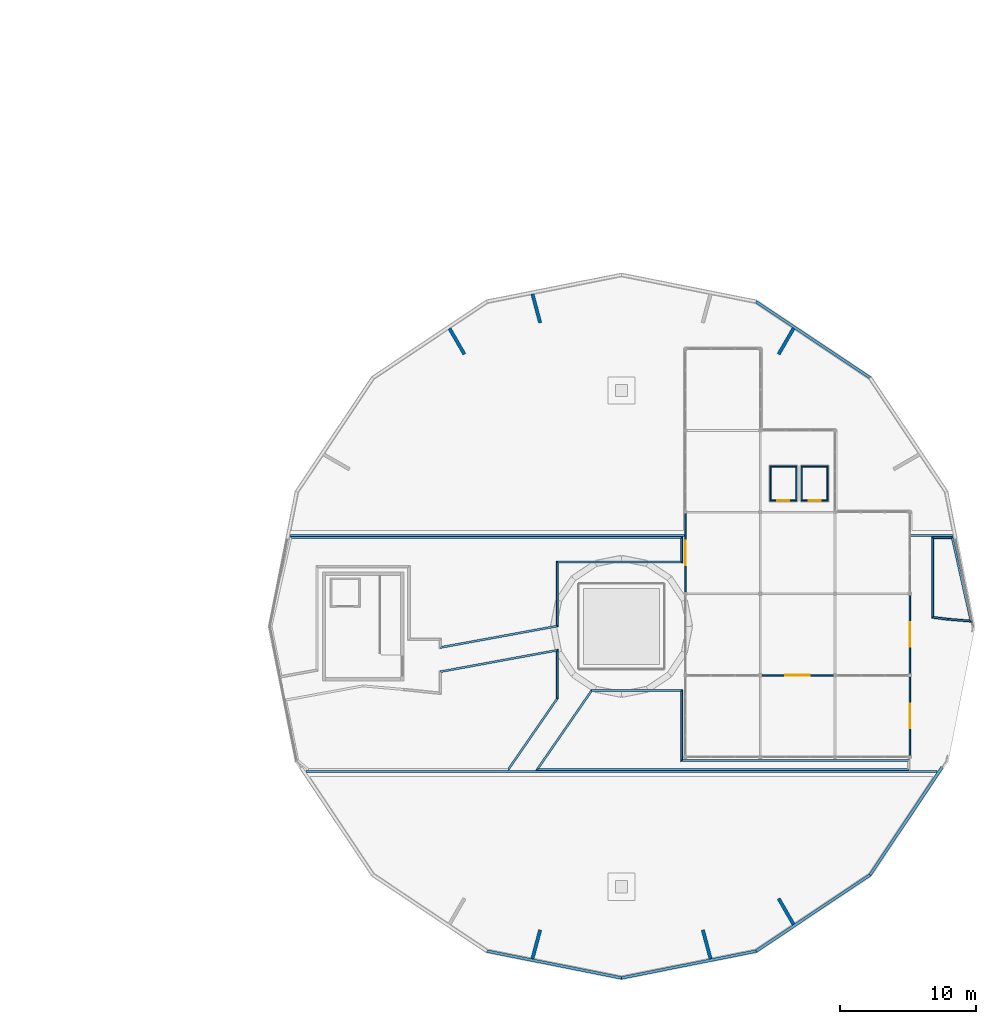
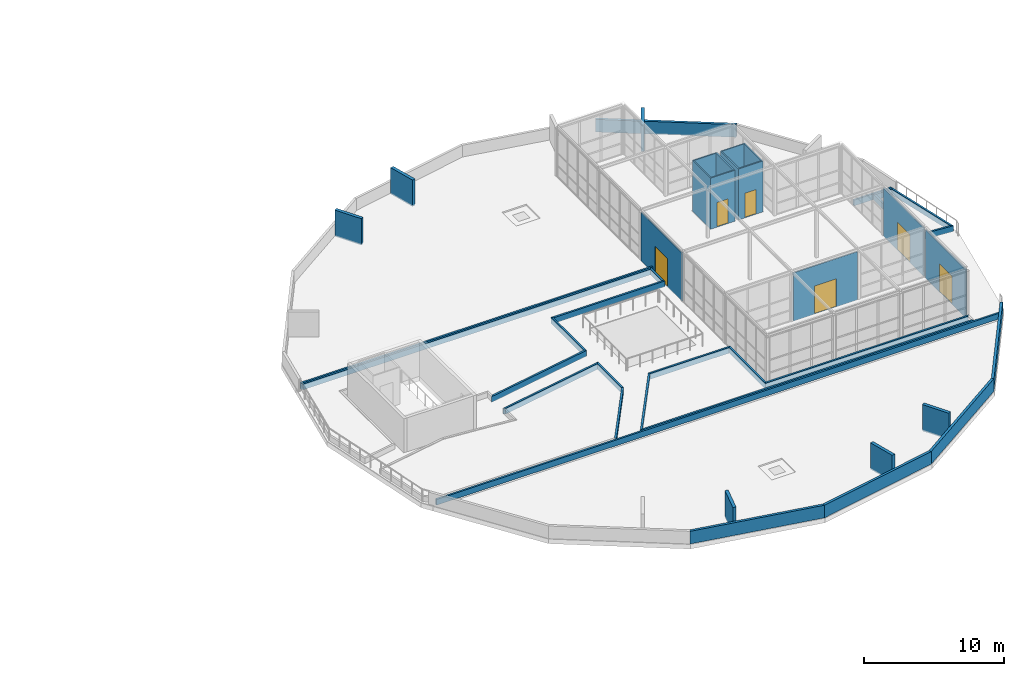
# One storey, part 30 of 40: 44 walls, 6 doors, 6 openings.
"""IFC4 building model written with IfcOpenShell, lengths in metres."""

from ifc_helpers import new_model, si_unit, direction, frame, frame_2d, origin, place, context, subcontext, project, spatial, polyline, rectangle, outline, extrude, material, layer, layer_set, type_object, element, fill, save


model = new_model("IFC4")

# Units and contexts
model_context = context("Model", 3, precision=1e-05, world=origin(), true_north=direction((0.0, 1.0)))
body_context = subcontext(model_context, "Body", "Model", "MODEL_VIEW")
ifc_project = project(units=[si_unit("LENGTHUNIT", "METRE"), si_unit("AREAUNIT", "SQUARE_METRE"), si_unit("VOLUMEUNIT", "CUBIC_METRE"), si_unit("PLANEANGLEUNIT", "RADIAN"), si_unit("MASSUNIT", "GRAM", prefix="KILO")], contexts=[model_context])

# Site, building, storey
site_placement = place(None, origin())
site = spatial("IfcSite", under=ifc_project, at=site_placement, CompositionType="ELEMENT")
building_placement = place(site_placement, origin())
building = spatial("IfcBuilding", under=site, at=building_placement, Name="Ceibo Conservatory and Research Tower", CompositionType="ELEMENT")
storey_placement = place(building_placement, frame((0.0, 0.0, 6.0)))
storey = spatial("IfcBuildingStorey", under=building, at=storey_placement, Name="L01", CompositionType="ELEMENT", Elevation=6.0)

# Walls
ifc_material_1 = material(Name="Concrete C35/45", Category="concrete")
ifc_layer_1 = layer(ifc_material_1, 0.25)
ifc_layer_set_1 = layer_set([ifc_layer_1], Name="Concrete C35/45")
wall_type_1 = type_object("IfcWallType", Name="Rim crown fin 250", PredefinedType="SOLIDWALL", material=ifc_layer_set_1)
for number, where, z_axis, x_axis, name in (
    (1, (180.65234375, 57.914306640625, -0.050048828125), (0.0, 0.0, 1.0), (-0.500077893725, -0.86598042715, 0.0), "Rim crown fin VC-CF02"),
    (2, (161.45068359375, 60.4423828125, -0.050048828125), (0.0, 0.0, 1.0), (0.258795254151, -0.965932200741, 0.0), "Rim crown fin VC-CF04"),
):
    element("IfcWall", number, at=place(storey_placement, frame(where, z_axis=z_axis, x_axis=x_axis)), inside=storey, type_object=wall_type_1, Name=name, PredefinedType="SOLIDWALL", context=body_context, shape_type="SweptSolid", body=[
        extrude(outline(polyline([(-0.00830078125, -0.125), (2.199951171875, -0.125), (2.199951171875, 0.125), (0.00830078125, 0.125), (-0.00830078125, -0.125)])), origin(), (0.0, 0.0, 1.0), 2.300048828125),
    ])
for number, where, z_axis, x_axis, name in (
    (3, (155.34765625, 57.914306640625, -0.050048828125), (0.0, 0.0, 1.0), (0.500077893725, -0.86598042715, 0.0), "Rim crown fin VC-CF05"),
    (4, (161.45068359375, 11.5576171875, -0.050048828125), (0.0, 0.0, 1.0), (0.258795254151, 0.965932200741, 0.0), "Rim crown fin VC-CF08"),
):
    element("IfcWall", number, at=place(storey_placement, frame(where, z_axis=z_axis, x_axis=x_axis)), inside=storey, type_object=wall_type_1, Name=name, PredefinedType="SOLIDWALL", context=body_context, shape_type="SweptSolid", body=[
        extrude(outline(polyline([(0.00830078125, -0.125), (2.199951171875, -0.125), (2.199951171875, 0.125), (-0.00830078125, 0.125), (0.00830078125, -0.125)])), origin(), (0.0, 0.0, 1.0), 2.300048828125),
    ])
wall_1_placement = place(storey_placement, frame((174.54931640625, 11.5576171875, -0.050048828125), z_axis=(0.0, 0.0, 1.0), x_axis=(-0.258795254151, 0.965932200741, 0.0)))
element("IfcWall", 5, at=wall_1_placement, inside=storey, type_object=wall_type_1, Name="Rim crown fin VC-CF09", PredefinedType="SOLIDWALL", context=body_context, shape_type="SweptSolid", body=[
    extrude(outline(polyline([(-0.00830078125, -0.125), (2.199951171875, -0.125), (2.199951171875, 0.125), (0.00830078125, 0.125), (-0.00830078125, -0.125)])), origin(), (0.0, 0.0, 1.0), 2.300048828125),
])
wall_2_placement = place(storey_placement, frame((180.65234375, 14.085693359375, -0.050048828125), z_axis=(0.0, 0.0, 1.0), x_axis=(-0.500077893725, 0.86598042715, 0.0)))
element("IfcWall", 6, at=wall_2_placement, inside=storey, type_object=wall_type_1, Name="Rim crown fin VC-CF10", PredefinedType="SOLIDWALL", context=body_context, shape_type="SweptSolid", body=[
    extrude(outline(polyline([(0.00830078125, -0.125), (2.199951171875, -0.125), (2.199951171875, 0.125), (-0.00830078125, 0.125), (0.00830078125, -0.125)])), origin(), (0.0, 0.0, 1.0), 2.300048828125),
])
ifc_material_2 = material(Name="Concrete C30/37", Category="concrete")
ifc_layer_2 = layer(ifc_material_2, 0.14990234375)
ifc_layer_set_2 = layer_set([ifc_layer_2], Name="Concrete C30/37")
wall_type_2 = type_object("IfcWallType", Name="Roof garden bed kerb wall 150", PredefinedType="PARAPET", material=ifc_layer_set_2)
wall_3_placement = place(storey_placement, frame((159.6748046875, 25.47509765625, -0.050048828125), z_axis=(0.0, 0.0, 1.0), x_axis=(0.567907537853, 0.823092357181, 0.0)))
element("IfcWall", 7, at=wall_3_placement, inside=storey, type_object=wall_type_2, Name="Planting bed PB01 kerb 05", PredefinedType="PARAPET", context=body_context, shape_type="SweptSolid", body=[
    extrude(outline(polyline([(-0.039306640625, -0.074951171875), (6.362548828125, -0.074951171875), (6.315673828125, 0.074951171875), (0.039306640625, 0.074951171875), (-0.039306640625, -0.074951171875)])), origin(), (0.0, 0.0, 1.0), 0.5),
])
wall_4_placement = place(storey_placement, frame((163.27490234375, 30.69287109375, -0.050048828125), z_axis=(0.0, 0.0, 1.0), x_axis=(0.0, 1.0, 0.0)))
element("IfcWall", 8, at=wall_4_placement, inside=storey, type_object=wall_type_2, Name="Planting bed PB01 kerb 06", PredefinedType="PARAPET", context=body_context, shape_type="SweptSolid", body=[
    extrude(outline(polyline([(-0.0234375, -0.074951171875), (3.640625, -0.074951171875), (3.4609375, 0.074951171875), (0.0234375, 0.074951171875), (-0.0234375, -0.074951171875)])), origin(), (0.0, 0.0, 1.0), 0.5),
])
wall_5_placement = place(storey_placement, frame((163.27490234375, 34.24365234375, -0.050048828125), z_axis=(0.0, 0.0, 1.0), x_axis=(-0.983586327493, -0.180438178801, 0.0)))
element("IfcWall", 9, at=wall_5_placement, inside=storey, type_object=wall_type_2, Name="Planting bed PB01 kerb 07", PredefinedType="PARAPET", context=body_context, shape_type="SweptSolid", body=[
    extrude(outline(polyline([(-0.08984375, -0.074951171875), (8.805908203125, -0.074951171875), (8.680908203125, 0.074951171875), (0.08984375, 0.074951171875), (-0.08984375, -0.074951171875)])), origin(), (0.0, 0.0, 1.0), 0.5),
])
wall_6_placement = place(storey_placement, frame((172.425048828125, 40.72509765625, -0.050048828125), z_axis=(0.0, 0.0, 1.0), x_axis=(0.0, 1.0, 0.0)))
element("IfcWall", 10, at=wall_6_placement, inside=storey, type_object=wall_type_2, Name="Planting bed PB02 kerb 01", PredefinedType="PARAPET", context=body_context, shape_type="SweptSolid", body=[
    extrude(outline(polyline([(-0.074951171875, -0.074951171875), (1.874755859375, -0.074951171875), (1.724853515625, 0.074951171875), (0.074951171875, 0.074951171875), (-0.074951171875, -0.074951171875)])), origin(), (0.0, 0.0, 1.0), 0.5),
])
wall_7_placement = place(storey_placement, frame((172.425048828125, 42.52490234375, -0.050048828125), z_axis=(0.0, 0.0, 1.0), x_axis=(-1.0, 0.0, 0.0)))
element("IfcWall", 11, at=wall_7_placement, inside=storey, type_object=wall_type_2, Name="Planting bed PB02 kerb 02", PredefinedType="PARAPET", context=body_context, shape_type="SweptSolid", body=[
    extrude(outline(polyline([(-0.074951171875, -0.074951171875), (28.7978515625, -0.074951171875), (28.677734375, 0.074951171875), (0.074951171875, 0.074951171875), (-0.074951171875, -0.074951171875)])), origin(), (0.0, 0.0, 1.0), 0.5),
])
wall_8_placement = place(storey_placement, frame((154.675048828125, 34.4453125, -0.050048828125), z_axis=(0.0, 0.0, 1.0), x_axis=(0.983586327493, 0.180438178801, 0.0)))
element("IfcWall", 12, at=wall_8_placement, inside=storey, type_object=wall_type_2, Name="Planting bed PB02 kerb 11", PredefinedType="PARAPET", context=body_context, shape_type="SweptSolid", body=[
    extrude(outline(polyline([(-0.08984375, -0.074951171875), (8.805908203125, -0.074951171875), (8.680908203125, 0.074951171875), (0.08984375, 0.074951171875), (-0.08984375, -0.074951171875)])), origin(), (0.0, 0.0, 1.0), 0.5),
])
wall_9_placement = place(storey_placement, frame((163.27490234375, 36.02294921875, -0.050048828125), z_axis=(0.0, 0.0, 1.0), x_axis=(0.0, 1.0, 0.0)))
element("IfcWall", 13, at=wall_9_placement, inside=storey, type_object=wall_type_2, Name="Planting bed PB02 kerb 12", PredefinedType="PARAPET", context=body_context, shape_type="SweptSolid", body=[
    extrude(outline(polyline([(-0.0625, -0.074951171875), (4.627197265625, -0.074951171875), (4.777099609375, 0.074951171875), (0.0625, 0.074951171875), (-0.0625, -0.074951171875)])), origin(), (0.0, 0.0, 1.0), 0.5),
])
wall_10_placement = place(storey_placement, frame((163.27490234375, 40.72509765625, -0.050048828125), z_axis=(0.0, 0.0, 1.0), x_axis=(1.0, 0.0, 0.0)))
element("IfcWall", 14, at=wall_10_placement, inside=storey, type_object=wall_type_2, Name="Planting bed PB02 kerb 13", PredefinedType="PARAPET", context=body_context, shape_type="SweptSolid", body=[
    extrude(outline(polyline([(0.074951171875, -0.074951171875), (9.22509765625, -0.074951171875), (9.0751953125, 0.074951171875), (-0.074951171875, 0.074951171875), (0.074951171875, -0.074951171875)])), origin(), (0.0, 0.0, 1.0), 0.5),
])
wall_11_placement = place(storey_placement, frame((161.801025390625, 25.47509765625, -0.050048828125), z_axis=(0.0, 0.0, 1.0), x_axis=(1.0, 0.0, 0.0)))
element("IfcWall", 15, at=wall_11_placement, inside=storey, type_object=wall_type_2, Name="Planting bed PB03 kerb 01", PredefinedType="PARAPET", context=body_context, shape_type="SweptSolid", body=[
    extrude(outline(polyline([(-0.142822265625, -0.074951171875), (27.39892578125, -0.074951171875), (27.2490234375, 0.074951171875), (0.142822265625, 0.074951171875), (-0.142822265625, -0.074951171875)])), origin(), (0.0, 0.0, 1.0), 0.5),
])
wall_12_placement = place(storey_placement, frame((189.125, 26.125, -0.050048828125), z_axis=(0.0, 0.0, 1.0), x_axis=(-1.0, 0.0, 0.0)))
element("IfcWall", 16, at=wall_12_placement, inside=storey, type_object=wall_type_2, Name="Planting bed PB03 kerb 03", PredefinedType="PARAPET", context=body_context, shape_type="SweptSolid", body=[
    extrude(outline(polyline([(-0.074951171875, -0.074951171875), (16.625, -0.074951171875), (16.77490234375, 0.074951171875), (0.074951171875, 0.074951171875), (-0.074951171875, -0.074951171875)])), origin(), (0.0, 0.0, 1.0), 0.5),
])
wall_13_placement = place(storey_placement, frame((172.425048828125, 26.125, -0.050048828125), z_axis=(0.0, 0.0, 1.0), x_axis=(0.0, 1.0, 0.0)))
element("IfcWall", 17, at=wall_13_placement, inside=storey, type_object=wall_type_2, Name="Planting bed PB03 kerb 04", PredefinedType="PARAPET", context=body_context, shape_type="SweptSolid", body=[
    extrude(outline(polyline([(0.074951171875, -0.074951171875), (5.224853515625, -0.074951171875), (5.074951171875, 0.074951171875), (-0.074951171875, 0.074951171875), (0.074951171875, -0.074951171875)])), origin(), (0.0, 0.0, 1.0), 0.5),
])
wall_14_placement = place(storey_placement, frame((172.425048828125, 31.27490234375, -0.050048828125), z_axis=(0.0, 0.0, 1.0), x_axis=(-1.0, 0.0, 0.0)))
element("IfcWall", 18, at=wall_14_placement, inside=storey, type_object=wall_type_2, Name="Planting bed PB03 kerb 05", PredefinedType="PARAPET", context=body_context, shape_type="SweptSolid", body=[
    extrude(outline(polyline([(-0.074951171875, -0.074951171875), (6.661376953125, -0.074951171875), (6.582763671875, 0.074951171875), (0.074951171875, 0.074951171875), (-0.074951171875, -0.074951171875)])), origin(), (0.0, 0.0, 1.0), 0.5),
])
wall_15_placement = place(storey_placement, frame((165.802978515625, 31.27490234375, -0.050048828125), z_axis=(0.0, 0.0, 1.0), x_axis=(-0.567933729625, -0.823074285076, 0.0)))
element("IfcWall", 19, at=wall_15_placement, inside=storey, type_object=wall_type_2, Name="Planting bed PB03 kerb 06", PredefinedType="PARAPET", context=body_context, shape_type="SweptSolid", body=[
    extrude(outline(polyline([(-0.039306640625, -0.074951171875), (7.189453125, -0.074951171875), (6.90380859375, 0.074951171875), (0.039306640625, 0.074951171875), (-0.039306640625, -0.074951171875)])), origin(), (0.0, 0.0, 1.0), 0.5),
])
wall_16_placement = place(storey_placement, frame((192.0078125, 36.524658203125, -0.050048828125), z_axis=(0.0, 0.0, 1.0), x_axis=(0.996495764633, -0.08364323684, 0.0)))
element("IfcWall", 20, at=wall_16_placement, inside=storey, type_object=wall_type_2, Name="Planting bed PB04 kerb 01", PredefinedType="PARAPET", context=body_context, shape_type="SweptSolid", body=[
    extrude(outline(polyline([(-0.00146484375, -0.074951171875), (1.7919921875, -0.074951171875), (1.587890625, 0.074951171875), (0.00146484375, 0.074951171875), (-0.00146484375, -0.074951171875)])), origin(), (0.0, 0.0, 1.0), 0.5),
])
wall_17_placement = place(storey_placement, frame((193.69189453125, 36.38330078125, -0.050048828125), z_axis=(0.0, 0.0, 1.0), x_axis=(-0.219176242021, 0.975685284779, 0.0)))
element("IfcWall", 21, at=wall_17_placement, inside=storey, type_object=wall_type_2, Name="Planting bed PB04 kerb 02", PredefinedType="PARAPET", context=body_context, shape_type="SweptSolid", body=[
    extrude(outline(polyline([(-0.10205078125, -0.074951171875), (6.354736328125, -0.074951171875), (6.234619140625, 0.074951171875), (0.10205078125, 0.074951171875), (-0.10205078125, -0.074951171875)])), origin(), (0.0, 0.0, 1.0), 0.5),
])
wall_18_placement = place(storey_placement, frame((192.312255859375, 42.52490234375, -0.050048828125), z_axis=(0.0, 0.0, 1.0), x_axis=(-1.0, 0.0, 0.0)))
element("IfcWall", 22, at=wall_18_placement, inside=storey, type_object=wall_type_2, Name="Planting bed PB04 kerb 03", PredefinedType="PARAPET", context=body_context, shape_type="SweptSolid", body=[
    extrude(outline(polyline([(-0.06005859375, -0.074951171875), (1.51220703125, -0.074951171875), (1.3623046875, 0.074951171875), (0.06005859375, 0.074951171875), (-0.06005859375, -0.074951171875)])), origin(), (0.0, 0.0, 1.0), 0.5),
])
wall_19_placement = place(storey_placement, frame((190.875, 42.52490234375, -0.050048828125), z_axis=(0.0, 0.0, 1.0), x_axis=(0.0, -1.0, 0.0)))
element("IfcWall", 23, at=wall_19_placement, inside=storey, type_object=wall_type_2, Name="Planting bed PB04 kerb 04", PredefinedType="PARAPET", context=body_context, shape_type="SweptSolid", body=[
    extrude(outline(polyline([(-0.074951171875, -0.074951171875), (5.9248046875, -0.074951171875), (5.79248046875, 0.074951171875), (0.074951171875, 0.074951171875), (-0.074951171875, -0.074951171875)])), origin(), (0.0, 0.0, 1.0), 0.5),
])
wall_20_placement = place(storey_placement, frame((190.875, 36.666259765625, -0.050048828125), z_axis=(0.0, 0.0, 1.0), x_axis=(0.992277876714, -0.124034734589, 0.0)))
element("IfcWall", 24, at=wall_20_placement, inside=storey, type_object=wall_type_2, Name="Planting bed PB04 kerb 05", PredefinedType="PARAPET", context=body_context, shape_type="SweptSolid", body=[
    extrude(outline(polyline([(-0.066162109375, -0.074951171875), (1.14306640625, -0.074951171875), (1.14013671875, 0.074951171875), (0.066162109375, 0.074951171875), (-0.066162109375, -0.074951171875)])), origin(), (0.0, 0.0, 1.0), 0.5),
])
ifc_layer_3 = layer(ifc_material_2, 0.14990234375)
ifc_layer_set_3 = layer_set([ifc_layer_3], Name="Concrete C30/37")
wall_type_3 = type_object("IfcWallType", Name="Roof garden edge kerb 150", PredefinedType="PARAPET", material=ifc_layer_set_3)
wall_21_placement = place(storey_placement, frame((144.804443359375, 25.324951171875, -0.050048828125), z_axis=(0.0, 0.0, 1.0), x_axis=(1.0, 0.0, 0.0)))
element("IfcWall", 25, at=wall_21_placement, inside=storey, type_object=wall_type_3, Name="Roof garden edge kerb 01", PredefinedType="PARAPET", context=body_context, shape_type="SweptSolid", body=[
    extrude(rectangle(XDim=46.39111328125, YDim=0.14990234375, at=frame_2d((23.195556640625, 0.0))), origin(), (0.0, 0.0, 1.0), 0.5),
])
wall_22_placement = place(storey_placement, frame((143.648681640625, 42.675048828125, -0.050048828125), z_axis=(0.0, 0.0, 1.0), x_axis=(1.0, 0.0, 0.0)))
element("IfcWall", 26, at=wall_22_placement, inside=storey, type_object=wall_type_3, Name="Roof garden edge kerb 02", PredefinedType="PARAPET", context=body_context, shape_type="SweptSolid", body=[
    extrude(rectangle(XDim=29.021240234375, YDim=0.14990234375, at=frame_2d((14.5107421875, 0.0))), origin(), (0.0, 0.0, 1.0), 0.5),
])
wall_23_placement = place(storey_placement, frame((189.22998046875, 42.675048828125, -0.050048828125), z_axis=(0.0, 0.0, 1.0), x_axis=(1.0, 0.0, 0.0)))
element("IfcWall", 27, at=wall_23_placement, inside=storey, type_object=wall_type_3, Name="Roof garden edge kerb 03", PredefinedType="PARAPET", context=body_context, shape_type="SweptSolid", body=[
    extrude(rectangle(XDim=3.121337890625, YDim=0.14990234375, at=frame_2d((1.560546875, 0.0))), origin(), (0.0, 0.0, 1.0), 0.5),
])
ifc_layer_4 = layer(ifc_material_1, 0.199951171875)
ifc_layer_set_4 = layer_set([ifc_layer_4], Name="Concrete C35/45")
wall_type_4 = type_object("IfcWallType", Name="Roof parapet 200", PredefinedType="PARAPET", material=ifc_layer_set_4)
wall_24_placement = place(storey_placement, frame((186.276611328125, 54.276611328125, -0.050048828125), z_axis=(0.0, 0.0, 1.0), x_axis=(-0.831461376043, 0.555582559255, 0.0)))
element("IfcWall", 28, at=wall_24_placement, inside=storey, type_object=wall_type_4, Name="Pavilion parapet 3", PredefinedType="PARAPET", context=body_context, shape_type="SweptSolid", body=[
    extrude(outline(polyline([(-0.019775390625, -0.10009765625), (10.104736328125, -0.10009765625), (10.065185546875, 0.10009765625), (0.019775390625, 0.10009765625), (-0.019775390625, -0.10009765625)])), origin(), (0.0, 0.0, 1.0), 1.10009765625),
])
for number, where, z_axis, x_axis, name in (
    (29, (158.108642578125, 12.120361328125, -0.050048828125), (0.0, 0.0, 1.0), (0.980784977305, -0.195091845788, 0.0), "Pavilion parapet 11"),
    (30, (168.0, 10.15283203125, -0.050048828125), (0.0, 0.0, 1.0), (0.980784977305, 0.195091845788, 0.0), "Pavilion parapet 12"),
):
    element("IfcWall", number, at=place(storey_placement, frame(where, z_axis=z_axis, x_axis=x_axis)), inside=storey, type_object=wall_type_4, Name=name, PredefinedType="PARAPET", context=body_context, shape_type="SweptSolid", body=[
        extrude(outline(polyline([(-0.019775390625, -0.10009765625), (10.10498046875, -0.10009765625), (10.0654296875, 0.10009765625), (0.019775390625, 0.10009765625), (-0.019775390625, -0.10009765625)])), origin(), (0.0, 0.0, 1.0), 1.10009765625),
    ])
wall_25_placement = place(storey_placement, frame((177.891357421875, 12.120361328125, -0.050048828125), z_axis=(0.0, 0.0, 1.0), x_axis=(0.831461376043, 0.555582559255, 0.0)))
element("IfcWall", 31, at=wall_25_placement, inside=storey, type_object=wall_type_4, Name="Pavilion parapet 13", PredefinedType="PARAPET", context=body_context, shape_type="SweptSolid", body=[
    extrude(outline(polyline([(-0.019775390625, -0.10009765625), (10.104736328125, -0.10009765625), (10.065185546875, 0.10009765625), (0.019775390625, 0.10009765625), (-0.019775390625, -0.10009765625)])), origin(), (0.0, 0.0, 1.0), 1.10009765625),
])
wall_26_placement = place(storey_placement, frame((186.276611328125, 17.723388671875, -0.050048828125), z_axis=(0.0, 0.0, 1.0), x_axis=(0.555574555908, 0.831466723825, 0.0)))
element("IfcWall", 32, at=wall_26_placement, inside=storey, type_object=wall_type_4, Name="Pavilion parapet 14", PredefinedType="PARAPET", context=body_context, shape_type="SweptSolid", body=[
    extrude(outline(polyline([(-0.019775390625, -0.10009765625), (9.533203125, -0.10009765625), (9.533203125, 0.10009765625), (0.019775390625, 0.10009765625), (-0.019775390625, -0.10009765625)])), origin(), (0.0, 0.0, 1.0), 1.10009765625),
])

# Wall, opening, door
ifc_material_3 = material(Name="Aluminium and glass", Category="aluminium")
ifc_layer_5 = layer(ifc_material_3, 0.10009765625)
ifc_layer_set_5 = layer_set([ifc_layer_5], Name="Aluminium and glass")
wall_type_5 = type_object("IfcWallType", Name="Sky gallery glazed infill wall 100", PredefinedType="PARTITIONING", material=ifc_layer_set_5)
wall_27_placement = place(storey_placement, frame((172.699951171875, 38.5, -0.050048828125), z_axis=(0.0, 0.0, 1.0), x_axis=(0.0, 1.0, 0.0)))
wall_27 = element("IfcWall", 33, at=wall_27_placement, inside=storey, type_object=wall_type_5, Name="Sky Gallery glazed infill v02", PredefinedType="PARTITIONING", context=body_context, shape_type="SweptSolid", body=[
    extrude(rectangle(XDim=5.800048828125, YDim=0.10009765625, at=frame_2d((2.89990234375, 0.0))), origin(), (0.0, 0.0, 1.0), 4.2099609375),
])
opening_1_placement = place(wall_27_placement, frame((2.0, 0.0, 0.050048828125)))
opening_1 = element("IfcOpeningElement", 34, at=opening_1_placement, cuts=wall_27, Name="Opening VC-SDv02", PredefinedType="OPENING", context=body_context, shape_type="SweptSolid", body=[
    extrude(rectangle(XDim=1.800048828125, YDim=2.39990234375, at=frame_2d((0.89990234375, 1.199951171875))), frame((0.0, 0.06005859375, 0.0), z_axis=(0.0, -1.0, 0.0), x_axis=(1.0, 0.0, 0.0)), (0.0, 0.0, 1.0), 0.1201171875),
])
door_type_1 = type_object("IfcDoorType", Name="Sky gallery double door 1800x2400", OperationType="DOUBLE_DOOR_SINGLE_SWING", PredefinedType="DOOR", material=ifc_material_3)
door_1_placement = place(opening_1_placement, origin())
door_1 = element("IfcDoor", 35, at=door_1_placement, inside=storey, type_object=door_type_1, Name="Sky Gallery door v02", OperationType="DOUBLE_DOOR_SINGLE_SWING", OverallHeight=2.39990234375, OverallWidth=1.800048828125, PredefinedType="DOOR", context=body_context, shape_type="SweptSolid", body=[
    extrude(rectangle(XDim=1.800048828125, YDim=2.39990234375, at=frame_2d((0.89990234375, 1.199951171875))), frame((0.0, 0.02490234375, 0.0), z_axis=(0.0, -1.0, 0.0), x_axis=(1.0, 0.0, 0.0)), (0.0, 0.0, 1.0), 0.050048828125),
])
fill(opening_1, door_1)

wall_28_placement = place(storey_placement, frame((189.199951171875, 26.5, -0.050048828125), z_axis=(0.0, 0.0, 1.0), x_axis=(0.0, 1.0, 0.0)))
wall_28 = element("IfcWall", 36, at=wall_28_placement, inside=storey, type_object=wall_type_5, Name="Sky Gallery glazed infill v30", PredefinedType="PARTITIONING", context=body_context, shape_type="SweptSolid", body=[
    extrude(rectangle(XDim=5.800048828125, YDim=0.10009765625, at=frame_2d((2.89990234375, 0.0))), origin(), (0.0, 0.0, 1.0), 4.2099609375),
])
opening_2_placement = place(wall_28_placement, frame((2.0, 0.0, 0.050048828125)))
opening_2 = element("IfcOpeningElement", 37, at=opening_2_placement, cuts=wall_28, Name="Opening VC-SDv30", PredefinedType="OPENING", context=body_context, shape_type="SweptSolid", body=[
    extrude(rectangle(XDim=1.800048828125, YDim=2.39990234375, at=frame_2d((0.89990234375, 1.199951171875))), frame((0.0, 0.06005859375, 0.0), z_axis=(0.0, -1.0, 0.0), x_axis=(1.0, 0.0, 0.0)), (0.0, 0.0, 1.0), 0.1201171875),
])
door_2_placement = place(opening_2_placement, origin())
door_2 = element("IfcDoor", 38, at=door_2_placement, inside=storey, type_object=door_type_1, Name="Sky Gallery door v30", OperationType="DOUBLE_DOOR_SINGLE_SWING", OverallHeight=2.39990234375, OverallWidth=1.800048828125, PredefinedType="DOOR", context=body_context, shape_type="SweptSolid", body=[
    extrude(rectangle(XDim=1.800048828125, YDim=2.39990234375, at=frame_2d((0.89990234375, 1.199951171875))), frame((0.0, 0.02490234375, 0.0), z_axis=(0.0, -1.0, 0.0), x_axis=(1.0, 0.0, 0.0)), (0.0, 0.0, 1.0), 0.050048828125),
])
fill(opening_2, door_2)

wall_29_placement = place(storey_placement, frame((189.199951171875, 32.5, -0.050048828125), z_axis=(0.0, 0.0, 1.0), x_axis=(0.0, 1.0, 0.0)))
wall_29 = element("IfcWall", 39, at=wall_29_placement, inside=storey, type_object=wall_type_5, Name="Sky Gallery glazed infill v31", PredefinedType="PARTITIONING", context=body_context, shape_type="SweptSolid", body=[
    extrude(rectangle(XDim=5.800048828125, YDim=0.10009765625, at=frame_2d((2.89990234375, 0.0))), origin(), (0.0, 0.0, 1.0), 4.2099609375),
])
opening_3_placement = place(wall_29_placement, frame((2.0, 0.0, 0.050048828125)))
opening_3 = element("IfcOpeningElement", 40, at=opening_3_placement, cuts=wall_29, Name="Opening VC-SDv31", PredefinedType="OPENING", context=body_context, shape_type="SweptSolid", body=[
    extrude(rectangle(XDim=1.800048828125, YDim=2.39990234375, at=frame_2d((0.89990234375, 1.199951171875))), frame((0.0, 0.06005859375, 0.0), z_axis=(0.0, -1.0, 0.0), x_axis=(1.0, 0.0, 0.0)), (0.0, 0.0, 1.0), 0.1201171875),
])
door_3_placement = place(opening_3_placement, origin())
door_3 = element("IfcDoor", 41, at=door_3_placement, inside=storey, type_object=door_type_1, Name="Sky Gallery door v31", OperationType="DOUBLE_DOOR_SINGLE_SWING", OverallHeight=2.39990234375, OverallWidth=1.800048828125, PredefinedType="DOOR", context=body_context, shape_type="SweptSolid", body=[
    extrude(rectangle(XDim=1.800048828125, YDim=2.39990234375, at=frame_2d((0.89990234375, 1.199951171875))), frame((0.0, 0.02490234375, 0.0), z_axis=(0.0, -1.0, 0.0), x_axis=(1.0, 0.0, 0.0)), (0.0, 0.0, 1.0), 0.050048828125),
])
fill(opening_3, door_3)

ifc_layer_6 = layer(ifc_material_3, 0.10009765625)
ifc_layer_set_6 = layer_set([ifc_layer_6], Name="Aluminium and glass")
wall_type_6 = type_object("IfcWallType", Name="Sky gallery partition infill wall 100", PredefinedType="PARTITIONING", material=ifc_layer_set_6)
wall_30_placement = place(storey_placement, frame((178.300048828125, 32.39990234375, -0.050048828125), z_axis=(0.0, 0.0, 1.0), x_axis=(1.0, 0.0, 0.0)))
wall_30 = element("IfcWall", 42, at=wall_30_placement, inside=storey, type_object=wall_type_6, Name="Sky Gallery glazed infill h11", PredefinedType="PARTITIONING", context=body_context, shape_type="SweptSolid", body=[
    extrude(rectangle(XDim=5.300048828125, YDim=0.10009765625, at=frame_2d((2.64990234375, 0.0))), origin(), (0.0, 0.0, 1.0), 4.2099609375),
])
opening_4_placement = place(wall_30_placement, frame((1.75, 0.0, 0.050048828125)))
opening_4 = element("IfcOpeningElement", 43, at=opening_4_placement, cuts=wall_30, Name="Opening VC-SDh11", PredefinedType="OPENING", context=body_context, shape_type="SweptSolid", body=[
    extrude(rectangle(XDim=1.800048828125, YDim=2.39990234375, at=frame_2d((0.89990234375, 1.199951171875))), frame((0.0, 0.06005859375, 0.0), z_axis=(0.0, -1.0, 0.0), x_axis=(1.0, 0.0, 0.0)), (0.0, 0.0, 1.0), 0.1201171875),
])
door_type_2 = type_object("IfcDoorType", Name="Sky gallery internal double door 1800x2400", OperationType="DOUBLE_DOOR_SINGLE_SWING", PredefinedType="DOOR", material=ifc_material_3)
door_4_placement = place(opening_4_placement, frame((1.800048828125, 0.0, 0.0), z_axis=(0.0, 0.0, 1.0), x_axis=(-1.0, 0.0, 0.0)))
door_4 = element("IfcDoor", 44, at=door_4_placement, inside=storey, type_object=door_type_2, Name="Sky Gallery door h11", OperationType="DOUBLE_DOOR_SINGLE_SWING", OverallHeight=2.39990234375, OverallWidth=1.800048828125, PredefinedType="DOOR", context=body_context, shape_type="SweptSolid", body=[
    extrude(rectangle(XDim=1.800048828125, YDim=2.39990234375, at=frame_2d((0.89990234375, 1.199951171875))), frame((0.0, 0.02490234375, 0.0), z_axis=(0.0, -1.0, 0.0), x_axis=(1.0, 0.0, 0.0)), (0.0, 0.0, 1.0), 0.050048828125),
])
fill(opening_4, door_4)

ifc_material_4 = material(Name="Plasterboard on metal studs")
ifc_layer_7 = layer(ifc_material_4, 0.10009765625)
ifc_layer_set_7 = layer_set([ifc_layer_7], Name="Plasterboard on metal studs")
wall_type_7 = type_object("IfcWallType", Name="Sky gallery room wall 100", PredefinedType="PARTITIONING", material=ifc_layer_set_7)
wall_31_placement = place(storey_placement, frame((178.949951171875, 45.25, -0.050048828125), z_axis=(0.0, 0.0, 1.0), x_axis=(1.0, 0.0, 0.0)))
wall_31 = element("IfcWall", 45, at=wall_31_placement, inside=storey, type_object=wall_type_7, Name="Sky Gallery wc wall 01", PredefinedType="PARTITIONING", context=body_context, shape_type="SweptSolid", body=[
    extrude(outline(polyline([(-0.050048828125, -0.050048828125), (1.9501953125, -0.050048828125), (1.85009765625, 0.050048828125), (0.050048828125, 0.050048828125), (-0.050048828125, -0.050048828125)])), origin(), (0.0, 0.0, 1.0), 4.449951171875),
])
opening_5_placement = place(wall_31_placement, frame((0.5, 0.0, 0.050048828125)))
opening_5 = element("IfcOpeningElement", 46, at=opening_5_placement, cuts=wall_31, Name="Opening VC-RDWC", PredefinedType="OPENING", context=body_context, shape_type="SweptSolid", body=[
    extrude(rectangle(XDim=0.89990234375, YDim=2.10009765625, at=frame_2d((0.449951171875, 1.050048828125))), frame((0.0, 0.06005859375, 0.0), z_axis=(0.0, -1.0, 0.0), x_axis=(1.0, 0.0, 0.0)), (0.0, 0.0, 1.0), 0.1201171875),
])
ifc_material_5 = material(Name="Galvanised sheet steel DX51D", Category="steel")
door_type_3 = type_object("IfcDoorType", Name="Sky gallery room door 900x2100 (left hand)", OperationType="SINGLE_SWING_LEFT", PredefinedType="DOOR", material=ifc_material_5)
door_5_placement = place(opening_5_placement, frame((0.89990234375, 0.0, 0.0), z_axis=(0.0, 0.0, 1.0), x_axis=(-1.0, 0.0, 0.0)))
door_5 = element("IfcDoor", 47, at=door_5_placement, inside=storey, type_object=door_type_3, Name="Sky Gallery wc door", OperationType="SINGLE_SWING_LEFT", OverallHeight=2.10009765625, OverallWidth=0.89990234375, PredefinedType="DOOR", context=body_context, shape_type="SweptSolid", body=[
    extrude(rectangle(XDim=0.89990234375, YDim=2.10009765625, at=frame_2d((0.449951171875, 1.050048828125))), frame((0.0, 0.02490234375, 0.0), z_axis=(0.0, -1.0, 0.0), x_axis=(1.0, 0.0, 0.0)), (0.0, 0.0, 1.0), 0.050048828125),
])
fill(opening_5, door_5)

# Walls
wall_32_placement = place(storey_placement, frame((180.85009765625, 45.25, -0.050048828125), z_axis=(0.0, 0.0, 1.0), x_axis=(0.0, 1.0, 0.0)))
element("IfcWall", 48, at=wall_32_placement, inside=storey, type_object=wall_type_7, Name="Sky Gallery wc wall 02", PredefinedType="PARTITIONING", context=body_context, shape_type="SweptSolid", body=[
    extrude(outline(polyline([(-0.050048828125, -0.050048828125), (2.550048828125, -0.050048828125), (2.449951171875, 0.050048828125), (0.050048828125, 0.050048828125), (-0.050048828125, -0.050048828125)])), origin(), (0.0, 0.0, 1.0), 4.449951171875),
])
wall_33_placement = place(storey_placement, frame((180.85009765625, 47.75, -0.050048828125), z_axis=(0.0, 0.0, 1.0), x_axis=(-1.0, 0.0, 0.0)))
element("IfcWall", 49, at=wall_33_placement, inside=storey, type_object=wall_type_7, Name="Sky Gallery wc wall 03", PredefinedType="PARTITIONING", context=body_context, shape_type="SweptSolid", body=[
    extrude(outline(polyline([(-0.050048828125, -0.050048828125), (1.9501953125, -0.050048828125), (1.85009765625, 0.050048828125), (0.050048828125, 0.050048828125), (-0.050048828125, -0.050048828125)])), origin(), (0.0, 0.0, 1.0), 4.449951171875),
])
wall_34_placement = place(storey_placement, frame((178.949951171875, 47.75, -0.050048828125), z_axis=(0.0, 0.0, 1.0), x_axis=(0.0, -1.0, 0.0)))
element("IfcWall", 50, at=wall_34_placement, inside=storey, type_object=wall_type_7, Name="Sky Gallery wc wall 04", PredefinedType="PARTITIONING", context=body_context, shape_type="SweptSolid", body=[
    extrude(outline(polyline([(-0.050048828125, -0.050048828125), (2.550048828125, -0.050048828125), (2.449951171875, 0.050048828125), (0.050048828125, 0.050048828125), (-0.050048828125, -0.050048828125)])), origin(), (0.0, 0.0, 1.0), 4.449951171875),
])

# Wall, opening, door
ifc_layer_8 = layer(ifc_material_4, 0.10009765625)
ifc_layer_set_8 = layer_set([ifc_layer_8], Name="Plasterboard on metal studs")
wall_type_8 = type_object("IfcWallType", Name="Sky gallery store wall 100", PredefinedType="PARTITIONING", material=ifc_layer_set_8)
wall_35_placement = place(storey_placement, frame((181.25, 45.25, -0.050048828125), z_axis=(0.0, 0.0, 1.0), x_axis=(1.0, 0.0, 0.0)))
wall_35 = element("IfcWall", 51, at=wall_35_placement, inside=storey, type_object=wall_type_8, Name="Sky Gallery store wall 01", PredefinedType="PARTITIONING", context=body_context, shape_type="SweptSolid", body=[
    extrude(outline(polyline([(-0.050048828125, -0.050048828125), (1.949951171875, -0.050048828125), (1.849853515625, 0.050048828125), (0.050048828125, 0.050048828125), (-0.050048828125, -0.050048828125)])), origin(), (0.0, 0.0, 1.0), 4.449951171875),
])
opening_6_placement = place(wall_35_placement, frame((0.5, 0.0, 0.050048828125)))
opening_6 = element("IfcOpeningElement", 52, at=opening_6_placement, cuts=wall_35, Name="Opening VC-RDSTORE", PredefinedType="OPENING", context=body_context, shape_type="SweptSolid", body=[
    extrude(rectangle(XDim=0.89990234375, YDim=2.10009765625, at=frame_2d((0.449951171875, 1.050048828125))), frame((0.0, 0.06005859375, 0.0), z_axis=(0.0, -1.0, 0.0), x_axis=(1.0, 0.0, 0.0)), (0.0, 0.0, 1.0), 0.1201171875),
])
door_type_4 = type_object("IfcDoorType", Name="Sky gallery store fire door 900x2100 (right hand)", OperationType="SINGLE_SWING_RIGHT", PredefinedType="DOOR", material=ifc_material_5)
door_6_placement = place(opening_6_placement, frame((0.89990234375, 0.0, 0.0), z_axis=(0.0, 0.0, 1.0), x_axis=(-1.0, 0.0, 0.0)))
door_6 = element("IfcDoor", 53, at=door_6_placement, inside=storey, type_object=door_type_4, Name="Sky Gallery store door", OperationType="SINGLE_SWING_RIGHT", OverallHeight=2.10009765625, OverallWidth=0.89990234375, PredefinedType="DOOR", context=body_context, shape_type="SweptSolid", body=[
    extrude(rectangle(XDim=0.89990234375, YDim=2.10009765625, at=frame_2d((0.449951171875, 1.050048828125))), frame((0.0, 0.02490234375, 0.0), z_axis=(0.0, -1.0, 0.0), x_axis=(1.0, 0.0, 0.0)), (0.0, 0.0, 1.0), 0.050048828125),
])
fill(opening_6, door_6)

# Walls
wall_36_placement = place(storey_placement, frame((183.14990234375, 45.25, -0.050048828125), z_axis=(0.0, 0.0, 1.0), x_axis=(0.0, 1.0, 0.0)))
element("IfcWall", 54, at=wall_36_placement, inside=storey, type_object=wall_type_8, Name="Sky Gallery store wall 02", PredefinedType="PARTITIONING", context=body_context, shape_type="SweptSolid", body=[
    extrude(outline(polyline([(-0.050048828125, -0.050048828125), (2.550048828125, -0.050048828125), (2.449951171875, 0.050048828125), (0.050048828125, 0.050048828125), (-0.050048828125, -0.050048828125)])), origin(), (0.0, 0.0, 1.0), 4.449951171875),
])
wall_37_placement = place(storey_placement, frame((183.14990234375, 47.75, -0.050048828125), z_axis=(0.0, 0.0, 1.0), x_axis=(-1.0, 0.0, 0.0)))
element("IfcWall", 55, at=wall_37_placement, inside=storey, type_object=wall_type_8, Name="Sky Gallery store wall 03", PredefinedType="PARTITIONING", context=body_context, shape_type="SweptSolid", body=[
    extrude(outline(polyline([(-0.050048828125, -0.050048828125), (1.949951171875, -0.050048828125), (1.849853515625, 0.050048828125), (0.050048828125, 0.050048828125), (-0.050048828125, -0.050048828125)])), origin(), (0.0, 0.0, 1.0), 4.449951171875),
])
wall_38_placement = place(storey_placement, frame((181.25, 47.75, -0.050048828125), z_axis=(0.0, 0.0, 1.0), x_axis=(0.0, -1.0, 0.0)))
element("IfcWall", 56, at=wall_38_placement, inside=storey, type_object=wall_type_8, Name="Sky Gallery store wall 04", PredefinedType="PARTITIONING", context=body_context, shape_type="SweptSolid", body=[
    extrude(outline(polyline([(-0.050048828125, -0.050048828125), (2.550048828125, -0.050048828125), (2.449951171875, 0.050048828125), (0.050048828125, 0.050048828125), (-0.050048828125, -0.050048828125)])), origin(), (0.0, 0.0, 1.0), 4.449951171875),
])

save(model, "model.ifc")
